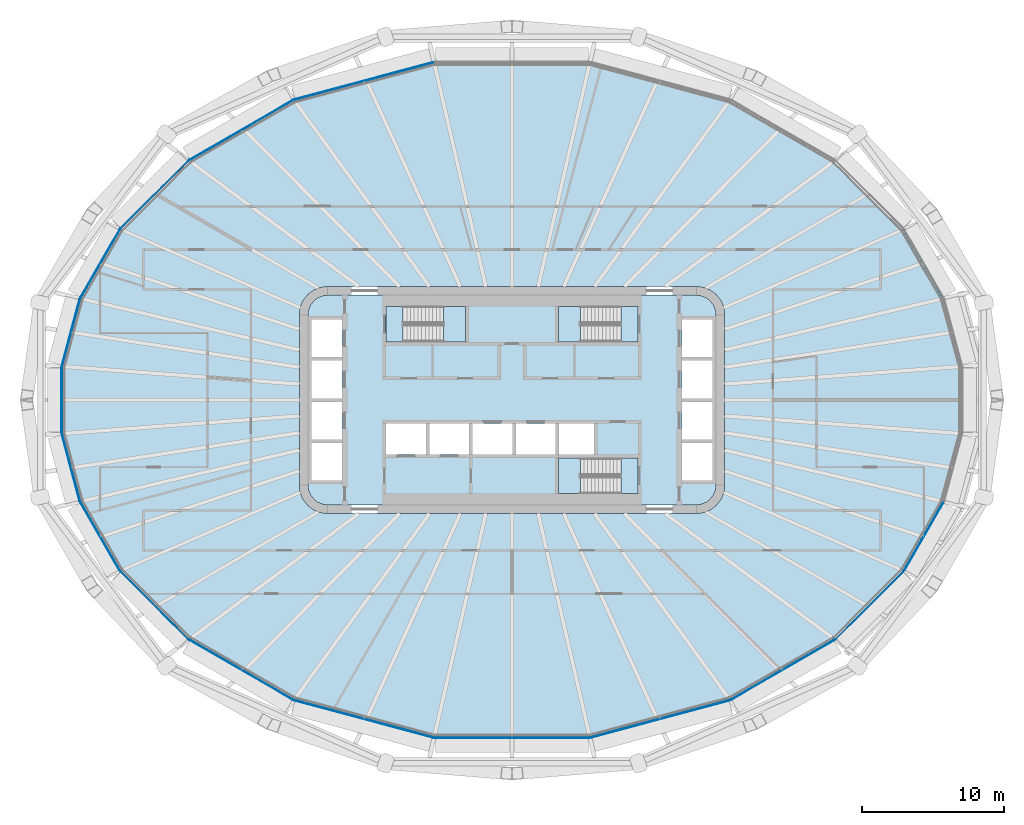
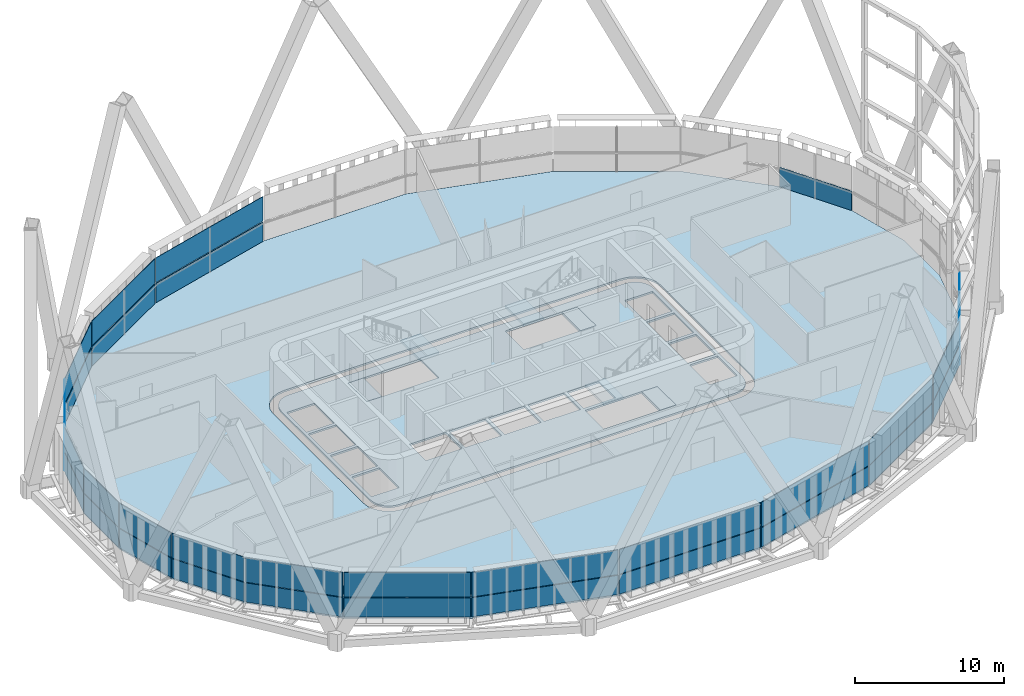
# One storey, part 14 of 26: 33 plates, 8 slabs, 20 elements without a shape of their own.
"""IFC4 building model written with IfcOpenShell, lengths in metres."""

from ifc_helpers import new_model, si_unit, direction, frame, origin, place, context, subcontext, project, spatial, polyline, outline, extrude, material, layer, layer_set, type_object, element, aggregate, save


model = new_model("IFC4")

# Units and contexts
model_context = context("Model", 3, precision=1e-05, world=origin(), true_north=direction((0.0, 1.0)))
body_context = subcontext(model_context, "Body", "Model", "MODEL_VIEW")
ifc_project = project(units=[si_unit("LENGTHUNIT", "METRE"), si_unit("AREAUNIT", "SQUARE_METRE"), si_unit("VOLUMEUNIT", "CUBIC_METRE"), si_unit("PLANEANGLEUNIT", "RADIAN"), si_unit("MASSUNIT", "GRAM", prefix="KILO")], contexts=[model_context])

# Site, building, storey
site_placement = place(None, origin())
site = spatial("IfcSite", under=ifc_project, at=site_placement, CompositionType="ELEMENT")
building_placement = place(site_placement, origin())
building = spatial("IfcBuilding", under=site, at=building_placement, Name="Sahrelin Media Tower", CompositionType="ELEMENT")
storey_placement = place(building_placement, frame((0.0, 0.0, 131.39990234375)))
storey = spatial("IfcBuildingStorey", under=building, at=storey_placement, Name="L26", CompositionType="ELEMENT", Elevation=131.39990234375)

# Slabs
ifc_material_1 = material(Name="Concrete C40/50", Category="concrete")
ifc_layer_1 = layer(ifc_material_1, 0.14990234375)
ifc_layer_set_1 = layer_set([ifc_layer_1], Name="Composite floor slab 150")
slab_type_1 = type_object("IfcSlabType", Name="Composite floor slab 150", PredefinedType="FLOOR", material=ifc_layer_set_1)
placement_1 = place(storey_placement, frame((0.0, 0.0, -0.14990234375)))
element("IfcSlab", 1, at=placement_1, inside=storey, type_object=slab_type_1, Name="Floor slab L26", PredefinedType="FLOOR", context=body_context, shape_type="SweptSolid", body=[
    extrude(outline(polyline([(31.729248046875, -2.369384765625), (31.729248046875, 2.369384765625), (30.446533203125, 7.156494140625), (27.626708984375, 12.040771484375), (22.78076171875, 16.88671875), (15.38330078125, 21.15771484375), (5.495361328125, 23.806884765625), (-5.495361328125, 23.806884765625), (-15.38330078125, 21.15771484375), (-22.78076171875, 16.88671875), (-27.626708984375, 12.040771484375), (-30.446533203125, 7.156494140625), (-31.729248046875, 2.369384765625), (-31.729248046875, -2.369384765625), (-30.446533203125, -7.156494140625), (-27.626708984375, -12.040771484375), (-22.78076171875, -16.88671875), (-15.38330078125, -21.15771484375), (-5.495361328125, -23.806884765625), (5.495361328125, -23.806884765625), (15.38330078125, -21.15771484375), (22.78076171875, -16.88671875), (27.626708984375, -12.040771484375), (30.446533203125, -7.156494140625), (31.729248046875, -2.369384765625)]), holes=[polyline([(14.931884765625, 6.517578125), (15.0, 6.0), (15.0, -6.0), (14.931884765625, -6.517578125), (14.732177734375, -7.0), (14.414306640625, -7.414306640625), (14.0, -7.732177734375), (13.517578125, -7.931884765625), (13.0, -8.0), (-13.0, -8.0), (-13.517578125, -7.931884765625), (-14.0, -7.732177734375), (-14.414306640625, -7.414306640625), (-14.732177734375, -7.0), (-14.931884765625, -6.517578125), (-15.0, -6.0), (-15.0, 6.0), (-14.931884765625, 6.517578125), (-14.732177734375, 7.0), (-14.414306640625, 7.414306640625), (-14.0, 7.732177734375), (-13.517578125, 7.931884765625), (-13.0, 8.0), (13.0, 8.0), (13.517578125, 7.931884765625), (14.0, 7.732177734375), (14.414306640625, 7.414306640625), (14.732177734375, 7.0), (14.931884765625, 6.517578125)])]), origin(), (0.0, 0.0, 1.0), 0.14990234375),
])
ifc_layer_2 = layer(ifc_material_1, 0.14990234375)
ifc_layer_set_2 = layer_set([ifc_layer_2], Name="Core floor slab 150")
slab_type_2 = type_object("IfcSlabType", Name="Core floor slab 150", PredefinedType="FLOOR", material=ifc_layer_set_2)
element("IfcSlab", 2, at=placement_1, inside=storey, type_object=slab_type_2, Name="Core floor", PredefinedType="FLOOR", context=body_context, shape_type="SweptSolid", body=[
    extrude(outline(polyline([(-14.347412109375, 6.361083984375), (-14.39990234375, 5.960693359375), (-14.39990234375, -5.960693359375), (-14.347412109375, -6.361083984375), (-14.2080078125, -6.697509765625), (-13.986328125, -6.986328125), (-13.697509765625, -7.2080078125), (-13.361083984375, -7.347412109375), (-12.960693359375, -7.39990234375), (12.960693359375, -7.39990234375), (13.361083984375, -7.347412109375), (13.697509765625, -7.2080078125), (13.986328125, -6.986328125), (14.2080078125, -6.697509765625), (14.347412109375, -6.361083984375), (14.39990234375, -5.960693359375), (14.39990234375, 5.960693359375), (14.347412109375, 6.361083984375), (14.2080078125, 6.697509765625), (13.986328125, 6.986328125), (13.697509765625, 7.2080078125), (13.361083984375, 7.347412109375), (12.960693359375, 7.39990234375), (-12.960693359375, 7.39990234375), (-13.361083984375, 7.347412109375), (-13.697509765625, 7.2080078125), (-13.986328125, 6.986328125), (-14.2080078125, 6.697509765625), (-14.347412109375, 6.361083984375)]), holes=[polyline([(-12.0, 3.02490234375), (-12.0, 5.675048828125), (-14.14990234375, 5.675048828125), (-14.14990234375, 3.02490234375), (-12.0, 3.02490234375)]), polyline([(-14.14990234375, 0.125), (-12.0, 0.125), (-12.0, 2.77490234375), (-14.14990234375, 2.77490234375), (-14.14990234375, 0.125)]), polyline([(-14.14990234375, -0.125), (-14.14990234375, -2.77490234375), (-12.0, -2.77490234375), (-12.0, -0.125), (-14.14990234375, -0.125)]), polyline([(-12.0, -3.02490234375), (-14.14990234375, -3.02490234375), (-14.14990234375, -5.675048828125), (-12.0, -5.675048828125), (-12.0, -3.02490234375)]), polyline([(14.14990234375, 3.02490234375), (14.14990234375, 5.675048828125), (12.0, 5.675048828125), (12.0, 3.02490234375), (14.14990234375, 3.02490234375)]), polyline([(12.0, 0.125), (14.14990234375, 0.125), (14.14990234375, 2.77490234375), (12.0, 2.77490234375), (12.0, 0.125)]), polyline([(12.0, -0.125), (12.0, -2.77490234375), (14.14990234375, -2.77490234375), (14.14990234375, -0.125), (12.0, -0.125)]), polyline([(14.14990234375, -3.02490234375), (12.0, -3.02490234375), (12.0, -5.675048828125), (14.14990234375, -5.675048828125), (14.14990234375, -3.02490234375)]), polyline([(-6.074951171875, -3.85009765625), (-6.074951171875, -1.64990234375), (-8.875, -1.64990234375), (-8.875, -3.85009765625), (-6.074951171875, -3.85009765625)]), polyline([(-5.824951171875, -3.85009765625), (-3.02490234375, -3.85009765625), (-3.02490234375, -1.64990234375), (-5.824951171875, -1.64990234375), (-5.824951171875, -3.85009765625)]), polyline([(-2.77490234375, -1.64990234375), (-2.77490234375, -3.85009765625), (0.02490234375, -3.85009765625), (0.02490234375, -1.64990234375), (-2.77490234375, -1.64990234375)]), polyline([(3.074951171875, -1.64990234375), (0.27490234375, -1.64990234375), (0.27490234375, -3.85009765625), (3.074951171875, -3.85009765625), (3.074951171875, -1.64990234375)]), polyline([(5.77490234375, -3.85009765625), (5.77490234375, -1.64990234375), (3.324951171875, -1.64990234375), (3.324951171875, -3.85009765625), (5.77490234375, -3.85009765625)]), polyline([(-8.875, 6.60009765625), (-8.875, 4.10009765625), (-3.27490234375, 4.10009765625), (-3.27490234375, 6.60009765625), (-8.875, 6.60009765625)]), polyline([(3.27490234375, 4.10009765625), (8.875, 4.10009765625), (8.875, 6.60009765625), (3.27490234375, 6.60009765625), (3.27490234375, 4.10009765625)]), polyline([(3.27490234375, -4.10009765625), (3.27490234375, -6.60009765625), (8.875, -6.60009765625), (8.875, -4.10009765625), (3.27490234375, -4.10009765625)])]), origin(), (0.0, 0.0, 1.0), 0.14990234375),
])

# Curtain wall, plate
ifc_material_2 = material(Name="Champagne anodised aluminium 6063-T6", Category="aluminium")
ifc_layer_3 = layer(ifc_material_2, 0.14990234375)
ifc_layer_set_3 = layer_set([ifc_layer_3], Name="Tower ribbon curtain wall")
curtain_wall_type = type_object("IfcCurtainWallType", Name="Tower ribbon curtain wall", PredefinedType="NOTDEFINED", material=ifc_layer_set_3)
curtain_wall_1_placement = place(storey_placement, frame((-10.4443359375, 22.501708984375, 0.0), z_axis=(0.0, 0.0, 1.0), x_axis=(1.0, 0.0, 0.0)))
curtain_wall_1 = element("IfcCurtainWall", 3, at=curtain_wall_1_placement, inside=storey, type_object=curtain_wall_type, Name="L26:CW:L26-07", PredefinedType="NOTDEFINED")
ifc_material_3 = material(Name="Clear low-iron glazing", Category="glass")
ifc_layer_4 = layer(ifc_material_3, 0.0400390625)
ifc_layer_set_4 = layer_set([ifc_layer_4], Name="Glazing panel 40 mm CW1")
plate_type_1 = type_object("IfcPlateType", Name="Glazing panel 40 mm CW1", PredefinedType="CURTAIN_PANEL", material=ifc_layer_set_4)
plate_1_placement = place(storey_placement, frame((-5.551513671875, 23.83349609375, 1.630126953125), z_axis=(-0.25882512505, 0.965924197151, 0.0), x_axis=(-0.965924197151, -0.25882512505, 0.0)))
plate_1 = element("IfcPlate", 4, at=plate_1_placement, type_object=plate_type_1, Name="L26:CWP2:L26-07", PredefinedType="CURTAIN_PANEL", context=body_context, shape_type="SweptSolid", body=[
    extrude(outline(polyline([(0.0, 0.0), (10.14208984375, 0.0), (10.14208984375, 2.0185546875), (0.0, 2.0185546875), (0.0, 0.0)])), origin(), (0.0, 0.0, -1.0), 0.0400390625),
])

curtain_wall_2_placement = place(storey_placement, frame((-19.092041015625, 19.039306640625, 0.0), z_axis=(0.0, 0.0, 1.0), x_axis=(1.0, 0.0, 0.0)))
curtain_wall_2 = element("IfcCurtainWall", 5, at=curtain_wall_2_placement, inside=storey, type_object=curtain_wall_type, Name="L26:CW:L26-08", PredefinedType="NOTDEFINED")
plate_2_placement = place(storey_placement, frame((-15.444091796875, 21.16845703125, 1.630126953125), z_axis=(-0.499993479487, 0.866029168372, 0.0), x_axis=(-0.866029168372, -0.499993479487, 0.0)))
plate_2 = element("IfcPlate", 6, at=plate_2_placement, type_object=plate_type_1, Name="L26:CWP2:L26-08", PredefinedType="CURTAIN_PANEL", context=body_context, shape_type="SweptSolid", body=[
    extrude(outline(polyline([(0.0, 0.0), (8.447265625, 0.0), (8.447265625, 2.0185546875), (0.0, 2.0185546875), (0.0, 0.0)])), origin(), (0.0, 0.0, -1.0), 0.0400390625),
])

curtain_wall_3_placement = place(storey_placement, frame((-25.218017578125, 14.477783203125, 0.0), z_axis=(0.0, 0.0, 1.0), x_axis=(1.0, 0.0, 0.0)))
curtain_wall_3 = element("IfcCurtainWall", 7, at=curtain_wall_3_placement, inside=storey, type_object=curtain_wall_type, Name="L26:CW:L26-09", PredefinedType="NOTDEFINED")
plate_3_placement = place(storey_placement, frame((-22.842529296875, 16.88134765625, 1.630126953125), z_axis=(-0.707106781187, 0.707106781187, 0.0), x_axis=(-0.707106781187, -0.707106781187, 0.0)))
plate_3 = element("IfcPlate", 8, at=plate_3_placement, type_object=plate_type_1, Name="L26:CWP2:L26-09", PredefinedType="CURTAIN_PANEL", context=body_context, shape_type="SweptSolid", body=[
    extrude(outline(polyline([(0.0, 0.0), (6.75830078125, 0.0), (6.75830078125, 2.0185546875), (0.0, 2.0185546875), (0.0, 0.0)])), origin(), (0.0, 0.0, -1.0), 0.0400390625),
])

curtain_wall_4_placement = place(storey_placement, frame((-29.053955078125, 9.608642578125, 0.0), z_axis=(0.0, 0.0, 1.0), x_axis=(1.0, 0.0, 0.0)))
curtain_wall_4 = element("IfcCurtainWall", 9, at=curtain_wall_4_placement, inside=storey, type_object=curtain_wall_type, Name="L26:CW:L26-10", PredefinedType="NOTDEFINED")
plate_4_placement = place(storey_placement, frame((-27.684814453125, 12.019775390625, 1.630126953125), z_axis=(-0.866015486245, 0.500017177289, 0.0), x_axis=(-0.500017177289, -0.866015486245, 0.0)))
plate_4 = element("IfcPlate", 10, at=plate_4_placement, type_object=plate_type_1, Name="L26:CWP2:L26-10", PredefinedType="CURTAIN_PANEL", context=body_context, shape_type="SweptSolid", body=[
    extrude(outline(polyline([(0.0, 0.0), (5.545166015625, 0.0), (5.545166015625, 2.0185546875), (0.0, 2.0185546875), (0.0, 0.0)])), origin(), (0.0, 0.0, -1.0), 0.0400390625),
])

curtain_wall_5_placement = place(storey_placement, frame((-31.107421875, 4.76806640625, 0.0), z_axis=(0.0, 0.0, 1.0), x_axis=(1.0, 0.0, 0.0)))
curtain_wall_5 = element("IfcCurtainWall", 11, at=curtain_wall_5_placement, inside=storey, type_object=curtain_wall_type, Name="L26:CW:L26-11", PredefinedType="NOTDEFINED")
plate_5_placement = place(storey_placement, frame((-30.49755859375, 7.12109375, 1.630126953125), z_axis=(-0.965935050712, 0.258784616633, 0.0), x_axis=(-0.258784616633, -0.965935050712, 0.0)))
plate_5 = element("IfcPlate", 12, at=plate_5_placement, type_object=plate_type_1, Name="L26:CWP2:L26-11", PredefinedType="CURTAIN_PANEL", context=body_context, shape_type="SweptSolid", body=[
    extrude(outline(polyline([(0.0, 0.0), (4.861328125, 0.0), (4.861328125, 2.0185546875), (0.0, 2.0185546875), (0.0, 0.0)])), origin(), (0.0, 0.0, -1.0), 0.0400390625),
])

curtain_wall_6_placement = place(storey_placement, frame((-31.749267578125, 0.0, 0.0), z_axis=(0.0, 0.0, 1.0), x_axis=(1.0, 0.0, 0.0)))
curtain_wall_6 = element("IfcCurtainWall", 13, at=curtain_wall_6_placement, inside=storey, type_object=curtain_wall_type, Name="L26:CW:L26-12", PredefinedType="NOTDEFINED")
plate_6_placement = place(storey_placement, frame((-31.769287109375, 2.322021484375, 1.630126953125), z_axis=(-1.0, 0.0, 0.0), x_axis=(0.0, -1.0, 0.0)))
plate_6 = element("IfcPlate", 14, at=plate_6_placement, type_object=plate_type_1, Name="L26:CWP2:L26-12", PredefinedType="CURTAIN_PANEL", context=body_context, shape_type="SweptSolid", body=[
    extrude(outline(polyline([(0.0, 0.0), (4.64404296875, 0.0), (4.64404296875, 2.0185546875), (0.0, 2.0185546875), (0.0, 0.0)])), origin(), (0.0, 0.0, -1.0), 0.0400390625),
])

curtain_wall_7_placement = place(storey_placement, frame((-31.107421875, -4.76806640625, 0.0), z_axis=(0.0, 0.0, 1.0), x_axis=(1.0, 0.0, 0.0)))
curtain_wall_7 = element("IfcCurtainWall", 15, at=curtain_wall_7_placement, inside=storey, type_object=curtain_wall_type, Name="L26:CW:L26-13", PredefinedType="NOTDEFINED")
plate_7_placement = place(storey_placement, frame((-31.755615234375, -2.42529296875, 1.630126953125), z_axis=(-0.965935050712, -0.258784616633, 0.0), x_axis=(0.258784616633, -0.965935050712, 0.0)))
plate_7 = element("IfcPlate", 16, at=plate_7_placement, type_object=plate_type_1, Name="L26:CWP2:L26-13", PredefinedType="CURTAIN_PANEL", context=body_context, shape_type="SweptSolid", body=[
    extrude(outline(polyline([(0.0, 0.0), (4.861328125, 0.0), (4.861328125, 2.0185546875), (0.0, 2.0185546875), (0.0, 0.0)])), origin(), (0.0, 0.0, -1.0), 0.0400390625),
])

curtain_wall_8_placement = place(storey_placement, frame((-29.053955078125, -9.608642578125, 0.0), z_axis=(0.0, 0.0, 1.0), x_axis=(1.0, 0.0, 0.0)))
curtain_wall_8 = element("IfcCurtainWall", 17, at=curtain_wall_8_placement, inside=storey, type_object=curtain_wall_type, Name="L26:CW:L26-14", PredefinedType="NOTDEFINED")
plate_8_placement = place(storey_placement, frame((-30.45751953125, -7.217529296875, 1.630126953125), z_axis=(-0.866015486245, -0.500017177289, 0.0), x_axis=(0.500017177289, -0.866015486245, 0.0)))
plate_8 = element("IfcPlate", 18, at=plate_8_placement, type_object=plate_type_1, Name="L26:CWP2:L26-14", PredefinedType="CURTAIN_PANEL", context=body_context, shape_type="SweptSolid", body=[
    extrude(outline(polyline([(0.0, 0.0), (5.545166015625, 0.0), (5.545166015625, 2.0185546875), (0.0, 2.0185546875), (0.0, 0.0)])), origin(), (0.0, 0.0, -1.0), 0.0400390625),
])

curtain_wall_9_placement = place(storey_placement, frame((-25.2177734375, -14.477783203125, 0.0), z_axis=(0.0, 0.0, 1.0), x_axis=(1.0, 0.0, 0.0)))
curtain_wall_9 = element("IfcCurtainWall", 19, at=curtain_wall_9_placement, inside=storey, type_object=curtain_wall_type, Name="L26:CW:L26-15", PredefinedType="NOTDEFINED")
plate_9_placement = place(storey_placement, frame((-27.621337890625, -12.1025390625, 1.630126953125), z_axis=(-0.707106781187, -0.707106781187, 0.0), x_axis=(0.707106781187, -0.707106781187, 0.0)))
plate_9 = element("IfcPlate", 20, at=plate_9_placement, type_object=plate_type_1, Name="L26:CWP2:L26-15", PredefinedType="CURTAIN_PANEL", context=body_context, shape_type="SweptSolid", body=[
    extrude(outline(polyline([(0.0, 0.0), (6.75830078125, 0.0), (6.75830078125, 2.0185546875), (0.0, 2.0185546875), (0.0, 0.0)])), origin(), (0.0, 0.0, -1.0), 0.0400390625),
])

curtain_wall_10_placement = place(storey_placement, frame((-19.092041015625, -19.039306640625, 0.0), z_axis=(0.0, 0.0, 1.0), x_axis=(1.0, 0.0, 0.0)))
curtain_wall_10 = element("IfcCurtainWall", 21, at=curtain_wall_10_placement, inside=storey, type_object=curtain_wall_type, Name="L26:CW:L26-16", PredefinedType="NOTDEFINED")
plate_10_placement = place(storey_placement, frame((-22.759765625, -16.94482421875, 1.630126953125), z_axis=(-0.499993479487, -0.866029168372, 0.0), x_axis=(0.866029168372, -0.499993479487, 0.0)))
plate_10 = element("IfcPlate", 22, at=plate_10_placement, type_object=plate_type_1, Name="L26:CWP2:L26-16", PredefinedType="CURTAIN_PANEL", context=body_context, shape_type="SweptSolid", body=[
    extrude(outline(polyline([(0.0, 0.0), (8.447265625, 0.0), (8.447265625, 2.0185546875), (0.0, 2.0185546875), (0.0, 0.0)])), origin(), (0.0, 0.0, -1.0), 0.0400390625),
])

curtain_wall_11_placement = place(storey_placement, frame((-10.4443359375, -22.501708984375, 0.0), z_axis=(0.0, 0.0, 1.0), x_axis=(1.0, 0.0, 0.0)))
curtain_wall_11 = element("IfcCurtainWall", 23, at=curtain_wall_11_placement, inside=storey, type_object=curtain_wall_type, Name="L26:CW:L26-17", PredefinedType="NOTDEFINED")
plate_11_placement = place(storey_placement, frame((-15.347900390625, -21.20849609375, 1.630126953125), z_axis=(-0.25882512505, -0.965924197151, 0.0), x_axis=(0.965924197151, -0.25882512505, 0.0)))
plate_11 = element("IfcPlate", 24, at=plate_11_placement, type_object=plate_type_1, Name="L26:CWP2:L26-17", PredefinedType="CURTAIN_PANEL", context=body_context, shape_type="SweptSolid", body=[
    extrude(outline(polyline([(0.0, 0.0), (10.14208984375, 0.0), (10.14208984375, 2.0185546875), (0.0, 2.0185546875), (0.0, 0.0)])), origin(), (0.0, 0.0, -1.0), 0.0400390625),
])

curtain_wall_12_placement = place(storey_placement, frame((0.0, -23.826904296875, 0.0), z_axis=(0.0, 0.0, 1.0), x_axis=(1.0, 0.0, 0.0)))
curtain_wall_12 = element("IfcCurtainWall", 25, at=curtain_wall_12_placement, inside=storey, type_object=curtain_wall_type, Name="L26:CW:L26-18", PredefinedType="NOTDEFINED")
plate_12_placement = place(storey_placement, frame((-5.447998046875, -23.846923828125, 1.630126953125), z_axis=(0.0, -1.0, 0.0), x_axis=(1.0, 0.0, 0.0)))
plate_12 = element("IfcPlate", 26, at=plate_12_placement, type_object=plate_type_1, Name="L26:CWP2:L26-18", PredefinedType="CURTAIN_PANEL", context=body_context, shape_type="SweptSolid", body=[
    extrude(outline(polyline([(0.0, 0.0), (10.89599609375, 0.0), (10.89599609375, 2.0185546875), (0.0, 2.0185546875), (0.0, 0.0)])), origin(), (0.0, 0.0, -1.0), 0.0400390625),
])

curtain_wall_13_placement = place(storey_placement, frame((10.4443359375, -22.501708984375, 0.0), z_axis=(0.0, 0.0, 1.0), x_axis=(1.0, 0.0, 0.0)))
curtain_wall_13 = element("IfcCurtainWall", 27, at=curtain_wall_13_placement, inside=storey, type_object=curtain_wall_type, Name="L26:CW:L26-19", PredefinedType="NOTDEFINED")
plate_13_placement = place(storey_placement, frame((5.551513671875, -23.83349609375, 1.630126953125), z_axis=(0.25882512505, -0.965924197151, 0.0), x_axis=(0.965924197151, 0.25882512505, 0.0)))
plate_13 = element("IfcPlate", 28, at=plate_13_placement, type_object=plate_type_1, Name="L26:CWP2:L26-19", PredefinedType="CURTAIN_PANEL", context=body_context, shape_type="SweptSolid", body=[
    extrude(outline(polyline([(0.0, 0.0), (10.14208984375, 0.0), (10.14208984375, 2.0185546875), (0.0, 2.0185546875), (0.0, 0.0)])), origin(), (0.0, 0.0, -1.0), 0.0400390625),
])

curtain_wall_14_placement = place(storey_placement, frame((19.092041015625, -19.039306640625, 0.0), z_axis=(0.0, 0.0, 1.0), x_axis=(1.0, 0.0, 0.0)))
curtain_wall_14 = element("IfcCurtainWall", 29, at=curtain_wall_14_placement, inside=storey, type_object=curtain_wall_type, Name="L26:CW:L26-20", PredefinedType="NOTDEFINED")
plate_14_placement = place(storey_placement, frame((15.444091796875, -21.16845703125, 1.630126953125), z_axis=(0.499993479487, -0.866029168372, 0.0), x_axis=(0.866029168372, 0.499993479487, 0.0)))
plate_14 = element("IfcPlate", 30, at=plate_14_placement, type_object=plate_type_1, Name="L26:CWP2:L26-20", PredefinedType="CURTAIN_PANEL", context=body_context, shape_type="SweptSolid", body=[
    extrude(outline(polyline([(0.0, 0.0), (8.447265625, 0.0), (8.447265625, 2.0185546875), (0.0, 2.0185546875), (0.0, 0.0)])), origin(), (0.0, 0.0, -1.0), 0.0400390625),
])

curtain_wall_15_placement = place(storey_placement, frame((25.218017578125, -14.477783203125, 0.0), z_axis=(0.0, 0.0, 1.0), x_axis=(1.0, 0.0, 0.0)))
curtain_wall_15 = element("IfcCurtainWall", 31, at=curtain_wall_15_placement, inside=storey, type_object=curtain_wall_type, Name="L26:CW:L26-21", PredefinedType="NOTDEFINED")
plate_15_placement = place(storey_placement, frame((22.842529296875, -16.88134765625, 1.630126953125), z_axis=(0.707106781187, -0.707106781187, 0.0), x_axis=(0.707106781187, 0.707106781187, 0.0)))
plate_15 = element("IfcPlate", 32, at=plate_15_placement, type_object=plate_type_1, Name="L26:CWP2:L26-21", PredefinedType="CURTAIN_PANEL", context=body_context, shape_type="SweptSolid", body=[
    extrude(outline(polyline([(0.0, 0.0), (6.75830078125, 0.0), (6.75830078125, 2.0185546875), (0.0, 2.0185546875), (0.0, 0.0)])), origin(), (0.0, 0.0, -1.0), 0.0400390625),
])

curtain_wall_16_placement = place(storey_placement, frame((29.053955078125, -9.608642578125, 0.0), z_axis=(0.0, 0.0, 1.0), x_axis=(1.0, 0.0, 0.0)))
curtain_wall_16 = element("IfcCurtainWall", 33, at=curtain_wall_16_placement, inside=storey, type_object=curtain_wall_type, Name="L26:CW:L26-22", PredefinedType="NOTDEFINED")
plate_16_placement = place(storey_placement, frame((27.684814453125, -12.019775390625, 1.630126953125), z_axis=(0.866015486245, -0.500017177289, 0.0), x_axis=(0.500017177289, 0.866015486245, 0.0)))
plate_16 = element("IfcPlate", 34, at=plate_16_placement, type_object=plate_type_1, Name="L26:CWP2:L26-22", PredefinedType="CURTAIN_PANEL", context=body_context, shape_type="SweptSolid", body=[
    extrude(outline(polyline([(0.0, 0.0), (5.545166015625, 0.0), (5.545166015625, 2.0185546875), (0.0, 2.0185546875), (0.0, 0.0)])), origin(), (0.0, 0.0, -1.0), 0.0400390625),
])

curtain_wall_17_placement = place(storey_placement, frame((29.053955078125, 9.608642578125, 0.0), z_axis=(0.0, 0.0, 1.0), x_axis=(1.0, 0.0, 0.0)))
curtain_wall_17 = element("IfcCurtainWall", 35, at=curtain_wall_17_placement, inside=storey, type_object=curtain_wall_type, Name="L26:CW:L26-02", PredefinedType="NOTDEFINED")
ifc_material_4 = material(Name="Insulated spandrel panel")
ifc_layer_5 = layer(ifc_material_4, 0.06005859375)
ifc_layer_set_5 = layer_set([ifc_layer_5], Name="Spandrel panel 60 mm CW1")
plate_type_2 = type_object("IfcPlateType", Name="Spandrel panel 60 mm CW1", PredefinedType="SHEET", material=ifc_layer_set_5)
plate_17_placement = place(storey_placement, frame((30.45751953125, 7.217529296875, 0.0), z_axis=(0.866015486245, 0.500017177289, 0.0), x_axis=(-0.500017177289, 0.866015486245, 0.0)))
plate_17 = element("IfcPlate", 36, at=plate_17_placement, type_object=plate_type_2, Name="L26:CWP1:L26-02", PredefinedType="SHEET", context=body_context, shape_type="SweptSolid", body=[
    extrude(outline(polyline([(0.0, 0.0), (5.545166015625, 0.0), (5.545166015625, 1.570068359375), (0.0, 1.570068359375), (0.0, 0.0)])), origin(), (0.0, 0.0, -1.0), 0.06005859375),
])
aggregate(curtain_wall_17, [plate_17])

# Plate
plate_18_placement = place(storey_placement, frame((-5.551513671875, 23.83349609375, 0.0), z_axis=(-0.25882512505, 0.965924197151, 0.0), x_axis=(-0.965924197151, -0.25882512505, 0.0)))
plate_18 = element("IfcPlate", 37, at=plate_18_placement, type_object=plate_type_2, Name="L26:CWP1:L26-07", PredefinedType="SHEET", context=body_context, shape_type="SweptSolid", body=[
    extrude(outline(polyline([(0.0, 0.0), (10.14208984375, 0.0), (10.14208984375, 1.570068359375), (0.0, 1.570068359375), (0.0, 0.0)])), origin(), (0.0, 0.0, -1.0), 0.06005859375),
])

aggregate(curtain_wall_1, [plate_18, plate_1])

plate_19_placement = place(storey_placement, frame((-15.444091796875, 21.16845703125, 0.0), z_axis=(-0.499993479487, 0.866029168372, 0.0), x_axis=(-0.866029168372, -0.499993479487, 0.0)))
plate_19 = element("IfcPlate", 38, at=plate_19_placement, type_object=plate_type_2, Name="L26:CWP1:L26-08", PredefinedType="SHEET", context=body_context, shape_type="SweptSolid", body=[
    extrude(outline(polyline([(0.0, 0.0), (8.447265625, 0.0), (8.447265625, 1.570068359375), (0.0, 1.570068359375), (0.0, 0.0)])), origin(), (0.0, 0.0, -1.0), 0.06005859375),
])

aggregate(curtain_wall_2, [plate_19, plate_2])

plate_20_placement = place(storey_placement, frame((-22.842529296875, 16.88134765625, 0.0), z_axis=(-0.707106781187, 0.707106781187, 0.0), x_axis=(-0.707106781187, -0.707106781187, 0.0)))
plate_20 = element("IfcPlate", 39, at=plate_20_placement, type_object=plate_type_2, Name="L26:CWP1:L26-09", PredefinedType="SHEET", context=body_context, shape_type="SweptSolid", body=[
    extrude(outline(polyline([(0.0, 0.0), (6.75830078125, 0.0), (6.75830078125, 1.570068359375), (0.0, 1.570068359375), (0.0, 0.0)])), origin(), (0.0, 0.0, -1.0), 0.06005859375),
])

aggregate(curtain_wall_3, [plate_20, plate_3])

plate_21_placement = place(storey_placement, frame((-27.684814453125, 12.019775390625, 0.0), z_axis=(-0.866015486245, 0.500017177289, 0.0), x_axis=(-0.500017177289, -0.866015486245, 0.0)))
plate_21 = element("IfcPlate", 40, at=plate_21_placement, type_object=plate_type_2, Name="L26:CWP1:L26-10", PredefinedType="SHEET", context=body_context, shape_type="SweptSolid", body=[
    extrude(outline(polyline([(0.0, 0.0), (5.545166015625, 0.0), (5.545166015625, 1.570068359375), (0.0, 1.570068359375), (0.0, 0.0)])), origin(), (0.0, 0.0, -1.0), 0.06005859375),
])

aggregate(curtain_wall_4, [plate_21, plate_4])

plate_22_placement = place(storey_placement, frame((-30.49755859375, 7.12109375, 0.0), z_axis=(-0.965935050712, 0.258784616633, 0.0), x_axis=(-0.258784616633, -0.965935050712, 0.0)))
plate_22 = element("IfcPlate", 41, at=plate_22_placement, type_object=plate_type_2, Name="L26:CWP1:L26-11", PredefinedType="SHEET", context=body_context, shape_type="SweptSolid", body=[
    extrude(outline(polyline([(0.0, 0.0), (4.861328125, 0.0), (4.861328125, 1.570068359375), (0.0, 1.570068359375), (0.0, 0.0)])), origin(), (0.0, 0.0, -1.0), 0.06005859375),
])

aggregate(curtain_wall_5, [plate_22, plate_5])

plate_23_placement = place(storey_placement, frame((-31.769287109375, 2.322021484375, 0.0), z_axis=(-1.0, 0.0, 0.0), x_axis=(0.0, -1.0, 0.0)))
plate_23 = element("IfcPlate", 42, at=plate_23_placement, type_object=plate_type_2, Name="L26:CWP1:L26-12", PredefinedType="SHEET", context=body_context, shape_type="SweptSolid", body=[
    extrude(outline(polyline([(0.0, 0.0), (4.64404296875, 0.0), (4.64404296875, 1.570068359375), (0.0, 1.570068359375), (0.0, 0.0)])), origin(), (0.0, 0.0, -1.0), 0.06005859375),
])

aggregate(curtain_wall_6, [plate_23, plate_6])

plate_24_placement = place(storey_placement, frame((-31.755615234375, -2.42529296875, 0.0), z_axis=(-0.965935050712, -0.258784616633, 0.0), x_axis=(0.258784616633, -0.965935050712, 0.0)))
plate_24 = element("IfcPlate", 43, at=plate_24_placement, type_object=plate_type_2, Name="L26:CWP1:L26-13", PredefinedType="SHEET", context=body_context, shape_type="SweptSolid", body=[
    extrude(outline(polyline([(0.0, 0.0), (4.861328125, 0.0), (4.861328125, 1.570068359375), (0.0, 1.570068359375), (0.0, 0.0)])), origin(), (0.0, 0.0, -1.0), 0.06005859375),
])

aggregate(curtain_wall_7, [plate_24, plate_7])

plate_25_placement = place(storey_placement, frame((-30.45751953125, -7.217529296875, 0.0), z_axis=(-0.866015486245, -0.500017177289, 0.0), x_axis=(0.500017177289, -0.866015486245, 0.0)))
plate_25 = element("IfcPlate", 44, at=plate_25_placement, type_object=plate_type_2, Name="L26:CWP1:L26-14", PredefinedType="SHEET", context=body_context, shape_type="SweptSolid", body=[
    extrude(outline(polyline([(0.0, 0.0), (5.545166015625, 0.0), (5.545166015625, 1.570068359375), (0.0, 1.570068359375), (0.0, 0.0)])), origin(), (0.0, 0.0, -1.0), 0.06005859375),
])

aggregate(curtain_wall_8, [plate_25, plate_8])

plate_26_placement = place(storey_placement, frame((-27.621337890625, -12.1025390625, 0.0), z_axis=(-0.707106781187, -0.707106781187, 0.0), x_axis=(0.707106781187, -0.707106781187, 0.0)))
plate_26 = element("IfcPlate", 45, at=plate_26_placement, type_object=plate_type_2, Name="L26:CWP1:L26-15", PredefinedType="SHEET", context=body_context, shape_type="SweptSolid", body=[
    extrude(outline(polyline([(0.0, 0.0), (6.75830078125, 0.0), (6.75830078125, 1.570068359375), (0.0, 1.570068359375), (0.0, 0.0)])), origin(), (0.0, 0.0, -1.0), 0.06005859375),
])

aggregate(curtain_wall_9, [plate_26, plate_9])

plate_27_placement = place(storey_placement, frame((-22.759765625, -16.94482421875, 0.0), z_axis=(-0.499993479487, -0.866029168372, 0.0), x_axis=(0.866029168372, -0.499993479487, 0.0)))
plate_27 = element("IfcPlate", 46, at=plate_27_placement, type_object=plate_type_2, Name="L26:CWP1:L26-16", PredefinedType="SHEET", context=body_context, shape_type="SweptSolid", body=[
    extrude(outline(polyline([(0.0, 0.0), (8.447265625, 0.0), (8.447265625, 1.570068359375), (0.0, 1.570068359375), (0.0, 0.0)])), origin(), (0.0, 0.0, -1.0), 0.06005859375),
])

aggregate(curtain_wall_10, [plate_27, plate_10])

plate_28_placement = place(storey_placement, frame((-15.347900390625, -21.20849609375, 0.0), z_axis=(-0.25882512505, -0.965924197151, 0.0), x_axis=(0.965924197151, -0.25882512505, 0.0)))
plate_28 = element("IfcPlate", 47, at=plate_28_placement, type_object=plate_type_2, Name="L26:CWP1:L26-17", PredefinedType="SHEET", context=body_context, shape_type="SweptSolid", body=[
    extrude(outline(polyline([(0.0, 0.0), (10.14208984375, 0.0), (10.14208984375, 1.570068359375), (0.0, 1.570068359375), (0.0, 0.0)])), origin(), (0.0, 0.0, -1.0), 0.06005859375),
])

aggregate(curtain_wall_11, [plate_28, plate_11])

plate_29_placement = place(storey_placement, frame((-5.447998046875, -23.846923828125, 0.0), z_axis=(0.0, -1.0, 0.0), x_axis=(1.0, 0.0, 0.0)))
plate_29 = element("IfcPlate", 48, at=plate_29_placement, type_object=plate_type_2, Name="L26:CWP1:L26-18", PredefinedType="SHEET", context=body_context, shape_type="SweptSolid", body=[
    extrude(outline(polyline([(0.0, 0.0), (10.89599609375, 0.0), (10.89599609375, 1.570068359375), (0.0, 1.570068359375), (0.0, 0.0)])), origin(), (0.0, 0.0, -1.0), 0.06005859375),
])

aggregate(curtain_wall_12, [plate_29, plate_12])

plate_30_placement = place(storey_placement, frame((5.551513671875, -23.83349609375, 0.0), z_axis=(0.25882512505, -0.965924197151, 0.0), x_axis=(0.965924197151, 0.25882512505, 0.0)))
plate_30 = element("IfcPlate", 49, at=plate_30_placement, type_object=plate_type_2, Name="L26:CWP1:L26-19", PredefinedType="SHEET", context=body_context, shape_type="SweptSolid", body=[
    extrude(outline(polyline([(0.0, 0.0), (10.14208984375, 0.0), (10.14208984375, 1.570068359375), (0.0, 1.570068359375), (0.0, 0.0)])), origin(), (0.0, 0.0, -1.0), 0.06005859375),
])

aggregate(curtain_wall_13, [plate_30, plate_13])

plate_31_placement = place(storey_placement, frame((15.444091796875, -21.16845703125, 0.0), z_axis=(0.499993479487, -0.866029168372, 0.0), x_axis=(0.866029168372, 0.499993479487, 0.0)))
plate_31 = element("IfcPlate", 50, at=plate_31_placement, type_object=plate_type_2, Name="L26:CWP1:L26-20", PredefinedType="SHEET", context=body_context, shape_type="SweptSolid", body=[
    extrude(outline(polyline([(0.0, 0.0), (8.447265625, 0.0), (8.447265625, 1.570068359375), (0.0, 1.570068359375), (0.0, 0.0)])), origin(), (0.0, 0.0, -1.0), 0.06005859375),
])

aggregate(curtain_wall_14, [plate_31, plate_14])

plate_32_placement = place(storey_placement, frame((22.842529296875, -16.88134765625, 0.0), z_axis=(0.707106781187, -0.707106781187, 0.0), x_axis=(0.707106781187, 0.707106781187, 0.0)))
plate_32 = element("IfcPlate", 51, at=plate_32_placement, type_object=plate_type_2, Name="L26:CWP1:L26-21", PredefinedType="SHEET", context=body_context, shape_type="SweptSolid", body=[
    extrude(outline(polyline([(0.0, 0.0), (6.75830078125, 0.0), (6.75830078125, 1.570068359375), (0.0, 1.570068359375), (0.0, 0.0)])), origin(), (0.0, 0.0, -1.0), 0.06005859375),
])

aggregate(curtain_wall_15, [plate_32, plate_15])

plate_33_placement = place(storey_placement, frame((27.684814453125, -12.019775390625, 0.0), z_axis=(0.866015486245, -0.500017177289, 0.0), x_axis=(0.500017177289, 0.866015486245, 0.0)))
plate_33 = element("IfcPlate", 52, at=plate_33_placement, type_object=plate_type_2, Name="L26:CWP1:L26-22", PredefinedType="SHEET", context=body_context, shape_type="SweptSolid", body=[
    extrude(outline(polyline([(0.0, 0.0), (5.545166015625, 0.0), (5.545166015625, 1.570068359375), (0.0, 1.570068359375), (0.0, 0.0)])), origin(), (0.0, 0.0, -1.0), 0.06005859375),
])

aggregate(curtain_wall_16, [plate_33, plate_16])

# Stair, slabs
stair_type = type_object("IfcStairType", Name="Exit stair 1200", PredefinedType="HALF_TURN_STAIR", material=ifc_material_1)
placement_2 = place(storey_placement, origin())
stair_1 = element("IfcStair", 53, at=placement_2, inside=storey, type_object=stair_type, Name="L26 Exit stair ST1", PredefinedType="HALF_TURN_STAIR")
ifc_layer_6 = layer(ifc_material_1, 0.199951171875)
ifc_layer_set_6 = layer_set([ifc_layer_6], Name="Stair landing 200")
slab_type_3 = type_object("IfcSlabType", Name="Stair landing 200", PredefinedType="LANDING", material=ifc_layer_set_6)
placement_3 = place(storey_placement, frame((0.0, 0.0, 1.900146484375)))
slab_3 = element("IfcSlab", 54, at=placement_3, type_object=slab_type_3, Name="ST1 landing 1", PredefinedType="LANDING", context=body_context, shape_type="SweptSolid", body=[
    extrude(outline(polyline([(-4.81494140625, 4.10009765625), (-3.27490234375, 4.10009765625), (-3.27490234375, 6.60009765625), (-4.81494140625, 6.60009765625), (-4.81494140625, 4.10009765625)])), origin(), (0.0, 0.0, 1.0), 0.199951171875),
])
placement_4 = place(storey_placement, frame((0.0, 0.0, -0.199951171875)))
slab_4 = element("IfcSlab", 55, at=placement_4, type_object=slab_type_3, Name="ST1 landing 2", PredefinedType="LANDING", context=body_context, shape_type="SweptSolid", body=[
    extrude(outline(polyline([(-8.875, 4.10009765625), (-7.675048828125, 4.10009765625), (-7.675048828125, 6.60009765625), (-8.875, 6.60009765625), (-8.875, 4.10009765625)])), origin(), (0.0, 0.0, 1.0), 0.199951171875),
])
aggregate(stair_1, [slab_3, slab_4])

stair_2 = element("IfcStair", 56, at=placement_2, inside=storey, type_object=stair_type, Name="L26 Exit stair ST3", PredefinedType="HALF_TURN_STAIR")
slab_5 = element("IfcSlab", 57, at=placement_3, type_object=slab_type_3, Name="ST3 landing 1", PredefinedType="LANDING", context=body_context, shape_type="SweptSolid", body=[
    extrude(outline(polyline([(4.81494140625, 6.60009765625), (3.27490234375, 6.60009765625), (3.27490234375, 4.10009765625), (4.81494140625, 4.10009765625), (4.81494140625, 6.60009765625)])), origin(), (0.0, 0.0, 1.0), 0.199951171875),
])
slab_6 = element("IfcSlab", 58, at=placement_4, type_object=slab_type_3, Name="ST3 landing 2", PredefinedType="LANDING", context=body_context, shape_type="SweptSolid", body=[
    extrude(outline(polyline([(8.875, 6.60009765625), (7.675048828125, 6.60009765625), (7.675048828125, 4.10009765625), (8.875, 4.10009765625), (8.875, 6.60009765625)])), origin(), (0.0, 0.0, 1.0), 0.199951171875),
])
aggregate(stair_2, [slab_5, slab_6])

stair_3 = element("IfcStair", 59, at=placement_2, inside=storey, type_object=stair_type, Name="L26 Exit stair ST2", PredefinedType="HALF_TURN_STAIR")
slab_7 = element("IfcSlab", 60, at=placement_3, type_object=slab_type_3, Name="ST2 landing 1", PredefinedType="LANDING", context=body_context, shape_type="SweptSolid", body=[
    extrude(outline(polyline([(4.81494140625, -4.10009765625), (3.27490234375, -4.10009765625), (3.27490234375, -6.60009765625), (4.81494140625, -6.60009765625), (4.81494140625, -4.10009765625)])), origin(), (0.0, 0.0, 1.0), 0.199951171875),
])
slab_8 = element("IfcSlab", 61, at=placement_4, type_object=slab_type_3, Name="ST2 landing 2", PredefinedType="LANDING", context=body_context, shape_type="SweptSolid", body=[
    extrude(outline(polyline([(8.875, -4.10009765625), (7.675048828125, -4.10009765625), (7.675048828125, -6.60009765625), (8.875, -6.60009765625), (8.875, -4.10009765625)])), origin(), (0.0, 0.0, 1.0), 0.199951171875),
])
aggregate(stair_3, [slab_7, slab_8])

save(model, "model.ifc")
